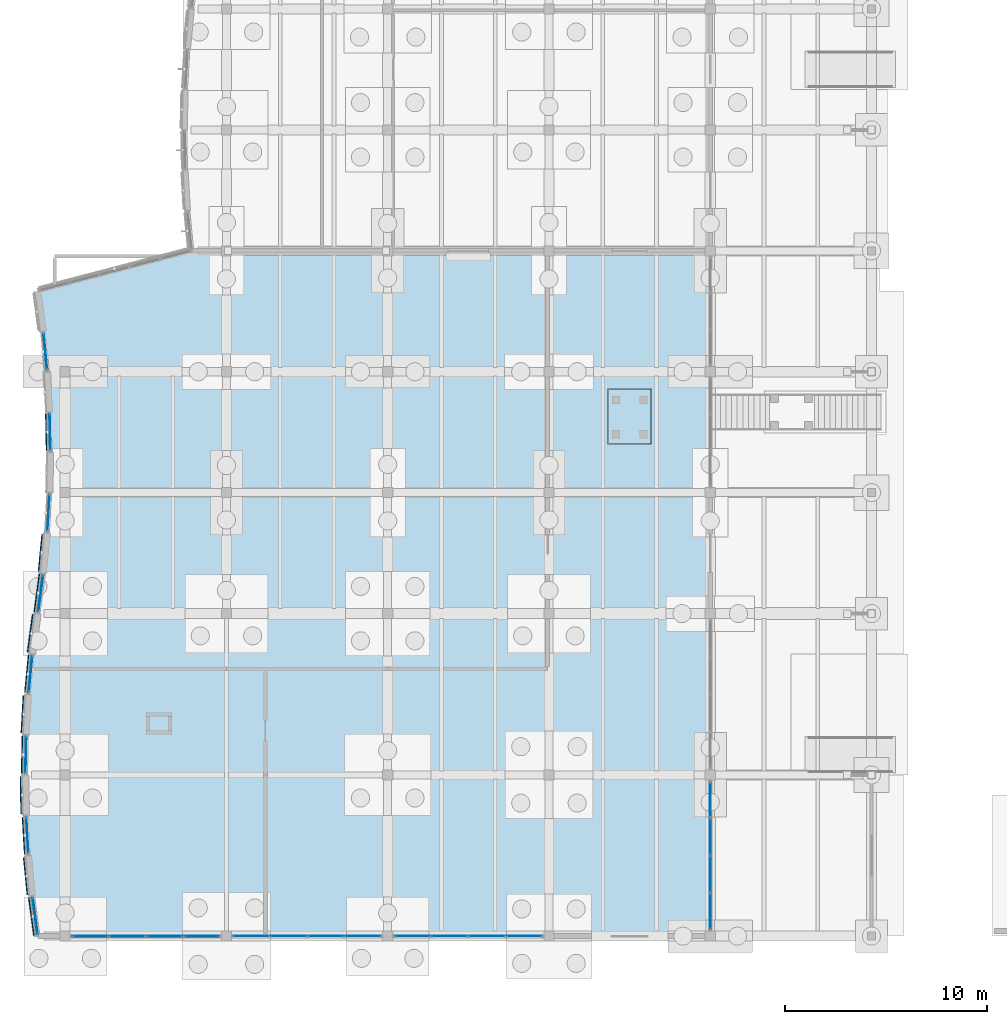
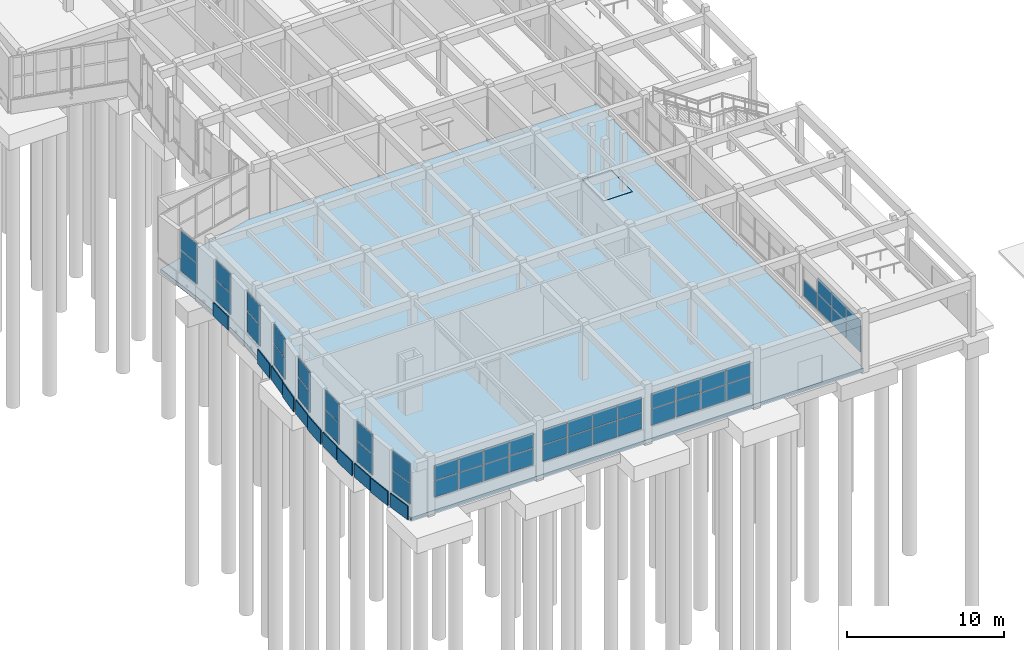
# One storey, part 50 of 99: 58 plates, 2 slabs, 12 elements without a shape of their own.
"""IFC4 building model written with IfcOpenShell, lengths in metres."""

from ifc_helpers import new_model, si_unit, direction, frame, origin, origin_2d, place, context, subcontext, project, spatial, polyline, rectangle, outline, extrude, material, layer, layer_set, type_object, element, aggregate, save


model = new_model("IFC4")

# Units and contexts
model_context = context("Model", 3, precision=1e-05, world=origin(), true_north=direction((0.0, 1.0)))
body_context = subcontext(model_context, "Body", "Model", "MODEL_VIEW")
ifc_project = project(units=[si_unit("LENGTHUNIT", "METRE"), si_unit("AREAUNIT", "SQUARE_METRE"), si_unit("VOLUMEUNIT", "CUBIC_METRE"), si_unit("PLANEANGLEUNIT", "RADIAN"), si_unit("MASSUNIT", "GRAM", prefix="KILO")], contexts=[model_context])

# Site, building, storey
site_placement = place(None, origin())
site = spatial("IfcSite", under=ifc_project, at=site_placement, CompositionType="ELEMENT")
building_placement = place(site_placement, origin())
building = spatial("IfcBuilding", under=site, at=building_placement, Name="Tonlespit Floodbar School", CompositionType="ELEMENT")
storey_placement = place(building_placement, origin())
storey = spatial("IfcBuildingStorey", under=building, at=storey_placement, Name="L00", CompositionType="ELEMENT", Elevation=0.0)

# Curtain wall, plates
ifc_material_1 = material(Name="Anodised Aluminium", Category="aluminium")
ifc_layer_1 = layer(ifc_material_1, 0.159912109375)
ifc_layer_set_1 = layer_set([ifc_layer_1], Name="Anodised Aluminium")
curtain_wall_type_1 = type_object("IfcCurtainWallType", Name="CurtainWall_1900x3300", PredefinedType="NOTDEFINED", material=ifc_layer_set_1)
curtain_wall_1_placement = place(storey_placement, origin())
curtain_wall_1 = element("IfcCurtainWall", 1, at=curtain_wall_1_placement, inside=storey, type_object=curtain_wall_type_1, Name="L00 unitised curtain wall 0497", PredefinedType="NOTDEFINED")
ifc_material_2 = material(Name="Laminated Low-E Glass", Category="glass")
ifc_layer_2 = layer(ifc_material_2, 0.028076171875)
ifc_layer_set_2 = layer_set([ifc_layer_2], Name="Laminated Low-E Glass")
plate_type_1 = type_object("IfcPlateType", Name="CW_Panel_Glaz_28", PredefinedType="CURTAIN_PANEL", material=ifc_layer_set_2)
plate_1_placement = place(storey_placement, frame((2.127197265625, 9.0, 1.014892578125), z_axis=(0.0, 0.0, 1.0), x_axis=(-0.057710137129, 0.998333381227, 0.0)))
plate_1 = element("IfcPlate", 2, at=plate_1_placement, type_object=plate_type_1, Name="CW-02 panel 1.1", PredefinedType="CURTAIN_PANEL", context=body_context, shape_type="SweptSolid", body=[
    extrude(rectangle(XDim=1.79345703125, YDim=0.028076171875, at=origin_2d()), origin(), (0.0, 0.0, 1.0), 1.61328125),
])
plate_2_placement = place(storey_placement, frame((2.127197265625, 9.0, 2.693359375), z_axis=(0.0, 0.0, 1.0), x_axis=(-0.057710137129, 0.998333381227, 0.0)))
plate_2 = element("IfcPlate", 3, at=plate_2_placement, type_object=plate_type_1, Name="CW-02 panel 1.2", PredefinedType="CURTAIN_PANEL", context=body_context, shape_type="SweptSolid", body=[
    extrude(rectangle(XDim=1.79345703125, YDim=0.028076171875, at=origin_2d()), origin(), (0.0, 0.0, 1.0), 1.481689453125),
])
aggregate(curtain_wall_1, [plate_1, plate_2])

curtain_wall_2_placement = place(storey_placement, origin())
curtain_wall_2 = element("IfcCurtainWall", 4, at=curtain_wall_2_placement, inside=storey, type_object=curtain_wall_type_1, Name="L00 unitised curtain wall 0501", PredefinedType="NOTDEFINED")
plate_3_placement = place(storey_placement, frame((3.1728515625, 25.0, 1.014892578125), z_axis=(0.0, 0.0, 1.0), x_axis=(0.057710137129, 0.998333381227, 0.0)))
plate_3 = element("IfcPlate", 5, at=plate_3_placement, type_object=plate_type_1, Name="CW-02 panel 1.1", PredefinedType="CURTAIN_PANEL", context=body_context, shape_type="SweptSolid", body=[
    extrude(rectangle(XDim=1.79345703125, YDim=0.028076171875, at=origin_2d()), origin(), (0.0, 0.0, 1.0), 1.61328125),
])
plate_4_placement = place(storey_placement, frame((3.1728515625, 25.0, 2.693359375), z_axis=(0.0, 0.0, 1.0), x_axis=(0.057710137129, 0.998333381227, 0.0)))
plate_4 = element("IfcPlate", 6, at=plate_4_placement, type_object=plate_type_1, Name="CW-02 panel 1.2", PredefinedType="CURTAIN_PANEL", context=body_context, shape_type="SweptSolid", body=[
    extrude(rectangle(XDim=1.79345703125, YDim=0.028076171875, at=origin_2d()), origin(), (0.0, 0.0, 1.0), 1.481689453125),
])
aggregate(curtain_wall_2, [plate_3, plate_4])

ifc_layer_3 = layer(ifc_material_1, 0.159912109375)
ifc_layer_set_3 = layer_set([ifc_layer_3], Name="Anodised Aluminium")
curtain_wall_type_2 = type_object("IfcCurtainWallType", Name="CurtainWall_7400x2600", PredefinedType="NOTDEFINED", material=ifc_layer_set_3)
curtain_wall_3_placement = place(storey_placement, origin())
curtain_wall_3 = element("IfcCurtainWall", 7, at=curtain_wall_3_placement, inside=storey, type_object=curtain_wall_type_2, Name="L00 unitised curtain wall 0505", PredefinedType="NOTDEFINED")
plate_5_placement = place(storey_placement, frame((26.766357421875, 4.0, 1.01513671875), z_axis=(0.0, 0.0, 1.0), x_axis=(-1.0, 0.0, 0.0)))
plate_5 = element("IfcPlate", 8, at=plate_5_placement, type_object=plate_type_1, Name="CW-52 panel 1.1", PredefinedType="CURTAIN_PANEL", context=body_context, shape_type="SweptSolid", body=[
    extrude(rectangle(XDim=1.757568359375, YDim=0.028076171875, at=origin_2d()), origin(), (0.0, 0.0, 1.0), 1.249267578125),
])
plate_6_placement = place(storey_placement, frame((26.766357421875, 4.0, 2.3291015625), z_axis=(0.0, 0.0, 1.0), x_axis=(-1.0, 0.0, 0.0)))
plate_6 = element("IfcPlate", 9, at=plate_6_placement, type_object=plate_type_1, Name="CW-52 panel 1.2", PredefinedType="CURTAIN_PANEL", context=body_context, shape_type="SweptSolid", body=[
    extrude(rectangle(XDim=1.757568359375, YDim=0.028076171875, at=origin_2d()), origin(), (0.0, 0.0, 1.0), 1.145751953125),
])
plate_7_placement = place(storey_placement, frame((24.927490234375, 4.0, 1.01513671875), z_axis=(0.0, 0.0, 1.0), x_axis=(-1.0, 0.0, 0.0)))
plate_7 = element("IfcPlate", 10, at=plate_7_placement, type_object=plate_type_1, Name="CW-52 panel 2.1", PredefinedType="CURTAIN_PANEL", context=body_context, shape_type="SweptSolid", body=[
    extrude(rectangle(XDim=1.7900390625, YDim=0.028076171875, at=origin_2d()), origin(), (0.0, 0.0, 1.0), 1.249267578125),
])
plate_8_placement = place(storey_placement, frame((24.927490234375, 4.0, 2.3291015625), z_axis=(0.0, 0.0, 1.0), x_axis=(-1.0, 0.0, 0.0)))
plate_8 = element("IfcPlate", 11, at=plate_8_placement, type_object=plate_type_1, Name="CW-52 panel 2.2", PredefinedType="CURTAIN_PANEL", context=body_context, shape_type="SweptSolid", body=[
    extrude(rectangle(XDim=1.7900390625, YDim=0.028076171875, at=origin_2d()), origin(), (0.0, 0.0, 1.0), 1.145751953125),
])
plate_9_placement = place(storey_placement, frame((23.072509765625, 4.0, 1.01513671875), z_axis=(0.0, 0.0, 1.0), x_axis=(-1.0, 0.0, 0.0)))
plate_9 = element("IfcPlate", 12, at=plate_9_placement, type_object=plate_type_1, Name="CW-52 panel 3.1", PredefinedType="CURTAIN_PANEL", context=body_context, shape_type="SweptSolid", body=[
    extrude(rectangle(XDim=1.7900390625, YDim=0.028076171875, at=origin_2d()), origin(), (0.0, 0.0, 1.0), 1.249267578125),
])
plate_10_placement = place(storey_placement, frame((23.072509765625, 4.0, 2.3291015625), z_axis=(0.0, 0.0, 1.0), x_axis=(-1.0, 0.0, 0.0)))
plate_10 = element("IfcPlate", 13, at=plate_10_placement, type_object=plate_type_1, Name="CW-52 panel 3.2", PredefinedType="CURTAIN_PANEL", context=body_context, shape_type="SweptSolid", body=[
    extrude(rectangle(XDim=1.7900390625, YDim=0.028076171875, at=origin_2d()), origin(), (0.0, 0.0, 1.0), 1.145751953125),
])
plate_11_placement = place(storey_placement, frame((21.233642578125, 4.0, 1.01513671875), z_axis=(0.0, 0.0, 1.0), x_axis=(-1.0, 0.0, 0.0)))
plate_11 = element("IfcPlate", 14, at=plate_11_placement, type_object=plate_type_1, Name="CW-52 panel 4.1", PredefinedType="CURTAIN_PANEL", context=body_context, shape_type="SweptSolid", body=[
    extrude(rectangle(XDim=1.757568359375, YDim=0.028076171875, at=origin_2d()), origin(), (0.0, 0.0, 1.0), 1.249267578125),
])
plate_12_placement = place(storey_placement, frame((21.233642578125, 4.0, 2.3291015625), z_axis=(0.0, 0.0, 1.0), x_axis=(-1.0, 0.0, 0.0)))
plate_12 = element("IfcPlate", 15, at=plate_12_placement, type_object=plate_type_1, Name="CW-52 panel 4.2", PredefinedType="CURTAIN_PANEL", context=body_context, shape_type="SweptSolid", body=[
    extrude(rectangle(XDim=1.757568359375, YDim=0.028076171875, at=origin_2d()), origin(), (0.0, 0.0, 1.0), 1.145751953125),
])
aggregate(curtain_wall_3, [plate_5, plate_6, plate_7, plate_8, plate_9, plate_10, plate_11, plate_12])

curtain_wall_4_placement = place(storey_placement, origin())
curtain_wall_4 = element("IfcCurtainWall", 16, at=curtain_wall_4_placement, inside=storey, type_object=curtain_wall_type_1, Name="L00 unitised curtain wall 0498", PredefinedType="NOTDEFINED")
ifc_layer_4 = layer(ifc_material_2, 0.031982421875)
ifc_layer_set_4 = layer_set([ifc_layer_4], Name="Laminated Low-E Glass")
plate_type_2 = type_object("IfcPlateType", Name="CW_Panel_Glaz_32", PredefinedType="CURTAIN_PANEL", material=ifc_layer_set_4)
plate_13_placement = place(storey_placement, frame((2.050048828125, 13.0, 1.014892578125), z_axis=(0.0, 0.0, 1.0), x_axis=(0.019215201653, 0.999815370969, 0.0)))
plate_13 = element("IfcPlate", 17, at=plate_13_placement, type_object=plate_type_2, Name="CW-02 panel 1.1", PredefinedType="CURTAIN_PANEL", context=body_context, shape_type="SweptSolid", body=[
    extrude(rectangle(XDim=1.790283203125, YDim=0.031982421875, at=origin_2d()), origin(), (0.0, 0.0, 1.0), 1.61328125),
])
plate_14_placement = place(storey_placement, frame((2.050048828125, 13.0, 2.693359375), z_axis=(0.0, 0.0, 1.0), x_axis=(0.019215201653, 0.999815370969, 0.0)))
plate_14 = element("IfcPlate", 18, at=plate_14_placement, type_object=plate_type_2, Name="CW-02 panel 1.2", PredefinedType="CURTAIN_PANEL", context=body_context, shape_type="SweptSolid", body=[
    extrude(rectangle(XDim=1.790283203125, YDim=0.031982421875, at=origin_2d()), origin(), (0.0, 0.0, 1.0), 1.481689453125),
])
aggregate(curtain_wall_4, [plate_13, plate_14])

curtain_wall_5_placement = place(storey_placement, origin())
curtain_wall_5 = element("IfcCurtainWall", 19, at=curtain_wall_5_placement, inside=storey, type_object=curtain_wall_type_1, Name="L00 unitised curtain wall 0502", PredefinedType="NOTDEFINED")
plate_15_placement = place(storey_placement, frame((3.249755859375, 29.0, 1.014892578125), z_axis=(0.0, 0.0, 1.0), x_axis=(-0.019215201653, 0.999815370969, 0.0)))
plate_15 = element("IfcPlate", 20, at=plate_15_placement, type_object=plate_type_2, Name="CW-02 panel 1.1", PredefinedType="CURTAIN_PANEL", context=body_context, shape_type="SweptSolid", body=[
    extrude(rectangle(XDim=1.790283203125, YDim=0.031982421875, at=origin_2d()), origin(), (0.0, 0.0, 1.0), 1.61328125),
])
plate_16_placement = place(storey_placement, frame((3.249755859375, 29.0, 2.693359375), z_axis=(0.0, 0.0, 1.0), x_axis=(-0.019215201653, 0.999815370969, 0.0)))
plate_16 = element("IfcPlate", 21, at=plate_16_placement, type_object=plate_type_2, Name="CW-02 panel 1.2", PredefinedType="CURTAIN_PANEL", context=body_context, shape_type="SweptSolid", body=[
    extrude(rectangle(XDim=1.790283203125, YDim=0.031982421875, at=origin_2d()), origin(), (0.0, 0.0, 1.0), 1.481689453125),
])
aggregate(curtain_wall_5, [plate_15, plate_16])

curtain_wall_6_placement = place(storey_placement, origin())
curtain_wall_6 = element("IfcCurtainWall", 22, at=curtain_wall_6_placement, inside=storey, type_object=curtain_wall_type_2, Name="L00 unitised curtain wall 0506", PredefinedType="NOTDEFINED")
plate_17_placement = place(storey_placement, frame((18.766357421875, 4.0, 1.01513671875), z_axis=(0.0, 0.0, 1.0), x_axis=(-1.0, 0.0, 0.0)))
plate_17 = element("IfcPlate", 23, at=plate_17_placement, type_object=plate_type_2, Name="CW-52 panel 1.1", PredefinedType="CURTAIN_PANEL", context=body_context, shape_type="SweptSolid", body=[
    extrude(rectangle(XDim=1.757568359375, YDim=0.031982421875, at=origin_2d()), origin(), (0.0, 0.0, 1.0), 1.249267578125),
])
plate_18_placement = place(storey_placement, frame((18.766357421875, 4.0, 2.3291015625), z_axis=(0.0, 0.0, 1.0), x_axis=(-1.0, 0.0, 0.0)))
plate_18 = element("IfcPlate", 24, at=plate_18_placement, type_object=plate_type_2, Name="CW-52 panel 1.2", PredefinedType="CURTAIN_PANEL", context=body_context, shape_type="SweptSolid", body=[
    extrude(rectangle(XDim=1.757568359375, YDim=0.031982421875, at=origin_2d()), origin(), (0.0, 0.0, 1.0), 1.145751953125),
])
plate_19_placement = place(storey_placement, frame((16.927490234375, 4.0, 1.01513671875), z_axis=(0.0, 0.0, 1.0), x_axis=(-1.0, 0.0, 0.0)))
plate_19 = element("IfcPlate", 25, at=plate_19_placement, type_object=plate_type_2, Name="CW-52 panel 2.1", PredefinedType="CURTAIN_PANEL", context=body_context, shape_type="SweptSolid", body=[
    extrude(rectangle(XDim=1.7900390625, YDim=0.031982421875, at=origin_2d()), origin(), (0.0, 0.0, 1.0), 1.249267578125),
])
plate_20_placement = place(storey_placement, frame((16.927490234375, 4.0, 2.3291015625), z_axis=(0.0, 0.0, 1.0), x_axis=(-1.0, 0.0, 0.0)))
plate_20 = element("IfcPlate", 26, at=plate_20_placement, type_object=plate_type_2, Name="CW-52 panel 2.2", PredefinedType="CURTAIN_PANEL", context=body_context, shape_type="SweptSolid", body=[
    extrude(rectangle(XDim=1.7900390625, YDim=0.031982421875, at=origin_2d()), origin(), (0.0, 0.0, 1.0), 1.145751953125),
])
plate_21_placement = place(storey_placement, frame((15.072509765625, 4.0, 1.01513671875), z_axis=(0.0, 0.0, 1.0), x_axis=(-1.0, 0.0, 0.0)))
plate_21 = element("IfcPlate", 27, at=plate_21_placement, type_object=plate_type_2, Name="CW-52 panel 3.1", PredefinedType="CURTAIN_PANEL", context=body_context, shape_type="SweptSolid", body=[
    extrude(rectangle(XDim=1.7900390625, YDim=0.031982421875, at=origin_2d()), origin(), (0.0, 0.0, 1.0), 1.249267578125),
])
plate_22_placement = place(storey_placement, frame((15.072509765625, 4.0, 2.3291015625), z_axis=(0.0, 0.0, 1.0), x_axis=(-1.0, 0.0, 0.0)))
plate_22 = element("IfcPlate", 28, at=plate_22_placement, type_object=plate_type_2, Name="CW-52 panel 3.2", PredefinedType="CURTAIN_PANEL", context=body_context, shape_type="SweptSolid", body=[
    extrude(rectangle(XDim=1.7900390625, YDim=0.031982421875, at=origin_2d()), origin(), (0.0, 0.0, 1.0), 1.145751953125),
])
plate_23_placement = place(storey_placement, frame((13.233642578125, 4.0, 1.01513671875), z_axis=(0.0, 0.0, 1.0), x_axis=(-1.0, 0.0, 0.0)))
plate_23 = element("IfcPlate", 29, at=plate_23_placement, type_object=plate_type_2, Name="CW-52 panel 4.1", PredefinedType="CURTAIN_PANEL", context=body_context, shape_type="SweptSolid", body=[
    extrude(rectangle(XDim=1.757568359375, YDim=0.031982421875, at=origin_2d()), origin(), (0.0, 0.0, 1.0), 1.249267578125),
])
plate_24_placement = place(storey_placement, frame((13.233642578125, 4.0, 2.3291015625), z_axis=(0.0, 0.0, 1.0), x_axis=(-1.0, 0.0, 0.0)))
plate_24 = element("IfcPlate", 30, at=plate_24_placement, type_object=plate_type_2, Name="CW-52 panel 4.2", PredefinedType="CURTAIN_PANEL", context=body_context, shape_type="SweptSolid", body=[
    extrude(rectangle(XDim=1.757568359375, YDim=0.031982421875, at=origin_2d()), origin(), (0.0, 0.0, 1.0), 1.145751953125),
])
aggregate(curtain_wall_6, [plate_17, plate_18, plate_19, plate_20, plate_21, plate_22, plate_23, plate_24])

ifc_layer_5 = layer(ifc_material_1, 0.159912109375)
ifc_layer_set_5 = layer_set([ifc_layer_5], Name="Anodised Aluminium")
curtain_wall_type_3 = type_object("IfcCurtainWallType", Name="CurtainWall_1950x3300", PredefinedType="NOTDEFINED", material=ifc_layer_set_5)
curtain_wall_7_placement = place(storey_placement, origin())
curtain_wall_7 = element("IfcCurtainWall", 31, at=curtain_wall_7_placement, inside=storey, type_object=curtain_wall_type_3, Name="L00 unitised curtain wall 0499", PredefinedType="NOTDEFINED")
ifc_layer_6 = layer(ifc_material_2, 0.035888671875)
ifc_layer_set_6 = layer_set([ifc_layer_6], Name="Laminated Low-E Glass")
plate_type_3 = type_object("IfcPlateType", Name="CW_Panel_Glaz_36", PredefinedType="CURTAIN_PANEL", material=ifc_layer_set_6)
plate_25_placement = place(storey_placement, frame((2.281494140625, 17.0, 1.014892578125), z_axis=(0.0, 0.0, 1.0), x_axis=(0.096198303585, 0.995362188546, 0.0)))
plate_25 = element("IfcPlate", 32, at=plate_25_placement, type_object=plate_type_3, Name="CW-01 panel 1.1", PredefinedType="CURTAIN_PANEL", context=body_context, shape_type="SweptSolid", body=[
    extrude(rectangle(XDim=1.79931640625, YDim=0.035888671875, at=origin_2d()), origin(), (0.0, 0.0, 1.0), 1.61328125),
])
plate_26_placement = place(storey_placement, frame((2.281494140625, 17.0, 2.693359375), z_axis=(0.0, 0.0, 1.0), x_axis=(0.096198303585, 0.995362188546, 0.0)))
plate_26 = element("IfcPlate", 33, at=plate_26_placement, type_object=plate_type_3, Name="CW-01 panel 1.2", PredefinedType="CURTAIN_PANEL", context=body_context, shape_type="SweptSolid", body=[
    extrude(rectangle(XDim=1.79931640625, YDim=0.035888671875, at=origin_2d()), origin(), (0.0, 0.0, 1.0), 1.481689453125),
])
aggregate(curtain_wall_7, [plate_25, plate_26])

curtain_wall_8_placement = place(storey_placement, origin())
curtain_wall_8 = element("IfcCurtainWall", 34, at=curtain_wall_8_placement, inside=storey, type_object=curtain_wall_type_3, Name="L00 unitised curtain wall 0503", PredefinedType="NOTDEFINED")
plate_27_placement = place(storey_placement, frame((3.018310546875, 33.0, 1.014892578125), z_axis=(0.0, 0.0, 1.0), x_axis=(-0.096198303585, 0.995362188546, 0.0)))
plate_27 = element("IfcPlate", 35, at=plate_27_placement, type_object=plate_type_3, Name="CW-01 panel 1.1", PredefinedType="CURTAIN_PANEL", context=body_context, shape_type="SweptSolid", body=[
    extrude(rectangle(XDim=1.79931640625, YDim=0.035888671875, at=origin_2d()), origin(), (0.0, 0.0, 1.0), 1.61328125),
])
plate_28_placement = place(storey_placement, frame((3.018310546875, 33.0, 2.693359375), z_axis=(0.0, 0.0, 1.0), x_axis=(-0.096198303585, 0.995362188546, 0.0)))
plate_28 = element("IfcPlate", 36, at=plate_28_placement, type_object=plate_type_3, Name="CW-01 panel 1.2", PredefinedType="CURTAIN_PANEL", context=body_context, shape_type="SweptSolid", body=[
    extrude(rectangle(XDim=1.79931640625, YDim=0.035888671875, at=origin_2d()), origin(), (0.0, 0.0, 1.0), 1.481689453125),
])
aggregate(curtain_wall_8, [plate_27, plate_28])

curtain_wall_9_placement = place(storey_placement, origin())
curtain_wall_9 = element("IfcCurtainWall", 37, at=curtain_wall_9_placement, inside=storey, type_object=curtain_wall_type_2, Name="L00 unitised curtain wall 0507", PredefinedType="NOTDEFINED")
plate_29_placement = place(storey_placement, frame((10.766357421875, 4.0, 1.01513671875), z_axis=(0.0, 0.0, 1.0), x_axis=(-1.0, 0.0, 0.0)))
plate_29 = element("IfcPlate", 38, at=plate_29_placement, type_object=plate_type_3, Name="CW-52 panel 1.1", PredefinedType="CURTAIN_PANEL", context=body_context, shape_type="SweptSolid", body=[
    extrude(rectangle(XDim=1.757568359375, YDim=0.035888671875, at=origin_2d()), origin(), (0.0, 0.0, 1.0), 1.249267578125),
])
plate_30_placement = place(storey_placement, frame((10.766357421875, 4.0, 2.3291015625), z_axis=(0.0, 0.0, 1.0), x_axis=(-1.0, 0.0, 0.0)))
plate_30 = element("IfcPlate", 39, at=plate_30_placement, type_object=plate_type_3, Name="CW-52 panel 1.2", PredefinedType="CURTAIN_PANEL", context=body_context, shape_type="SweptSolid", body=[
    extrude(rectangle(XDim=1.757568359375, YDim=0.035888671875, at=origin_2d()), origin(), (0.0, 0.0, 1.0), 1.145751953125),
])
plate_31_placement = place(storey_placement, frame((8.927490234375, 4.0, 1.01513671875), z_axis=(0.0, 0.0, 1.0), x_axis=(-1.0, 0.0, 0.0)))
plate_31 = element("IfcPlate", 40, at=plate_31_placement, type_object=plate_type_3, Name="CW-52 panel 2.1", PredefinedType="CURTAIN_PANEL", context=body_context, shape_type="SweptSolid", body=[
    extrude(rectangle(XDim=1.7900390625, YDim=0.035888671875, at=origin_2d()), origin(), (0.0, 0.0, 1.0), 1.249267578125),
])
plate_32_placement = place(storey_placement, frame((8.927490234375, 4.0, 2.3291015625), z_axis=(0.0, 0.0, 1.0), x_axis=(-1.0, 0.0, 0.0)))
plate_32 = element("IfcPlate", 41, at=plate_32_placement, type_object=plate_type_3, Name="CW-52 panel 2.2", PredefinedType="CURTAIN_PANEL", context=body_context, shape_type="SweptSolid", body=[
    extrude(rectangle(XDim=1.7900390625, YDim=0.035888671875, at=origin_2d()), origin(), (0.0, 0.0, 1.0), 1.145751953125),
])
plate_33_placement = place(storey_placement, frame((7.072509765625, 4.0, 1.01513671875), z_axis=(0.0, 0.0, 1.0), x_axis=(-1.0, 0.0, 0.0)))
plate_33 = element("IfcPlate", 42, at=plate_33_placement, type_object=plate_type_3, Name="CW-52 panel 3.1", PredefinedType="CURTAIN_PANEL", context=body_context, shape_type="SweptSolid", body=[
    extrude(rectangle(XDim=1.7900390625, YDim=0.035888671875, at=origin_2d()), origin(), (0.0, 0.0, 1.0), 1.249267578125),
])
plate_34_placement = place(storey_placement, frame((7.072509765625, 4.0, 2.3291015625), z_axis=(0.0, 0.0, 1.0), x_axis=(-1.0, 0.0, 0.0)))
plate_34 = element("IfcPlate", 43, at=plate_34_placement, type_object=plate_type_3, Name="CW-52 panel 3.2", PredefinedType="CURTAIN_PANEL", context=body_context, shape_type="SweptSolid", body=[
    extrude(rectangle(XDim=1.7900390625, YDim=0.035888671875, at=origin_2d()), origin(), (0.0, 0.0, 1.0), 1.145751953125),
])
plate_35_placement = place(storey_placement, frame((5.233642578125, 4.0, 1.01513671875), z_axis=(0.0, 0.0, 1.0), x_axis=(-1.0, 0.0, 0.0)))
plate_35 = element("IfcPlate", 44, at=plate_35_placement, type_object=plate_type_3, Name="CW-52 panel 4.1", PredefinedType="CURTAIN_PANEL", context=body_context, shape_type="SweptSolid", body=[
    extrude(rectangle(XDim=1.757568359375, YDim=0.035888671875, at=origin_2d()), origin(), (0.0, 0.0, 1.0), 1.249267578125),
])
plate_36_placement = place(storey_placement, frame((5.233642578125, 4.0, 2.3291015625), z_axis=(0.0, 0.0, 1.0), x_axis=(-1.0, 0.0, 0.0)))
plate_36 = element("IfcPlate", 45, at=plate_36_placement, type_object=plate_type_3, Name="CW-52 panel 4.2", PredefinedType="CURTAIN_PANEL", context=body_context, shape_type="SweptSolid", body=[
    extrude(rectangle(XDim=1.757568359375, YDim=0.035888671875, at=origin_2d()), origin(), (0.0, 0.0, 1.0), 1.145751953125),
])
aggregate(curtain_wall_9, [plate_29, plate_30, plate_31, plate_32, plate_33, plate_34, plate_35, plate_36])

ifc_layer_7 = layer(ifc_material_1, 0.159912109375)
ifc_layer_set_7 = layer_set([ifc_layer_7], Name="Anodised Aluminium")
curtain_wall_type_4 = type_object("IfcCurtainWallType", Name="CurtainWall_7400x2650", PredefinedType="NOTDEFINED", material=ifc_layer_set_7)
curtain_wall_10_placement = place(storey_placement, origin())
curtain_wall_10 = element("IfcCurtainWall", 46, at=curtain_wall_10_placement, inside=storey, type_object=curtain_wall_type_4, Name="L00 unitised curtain wall 0511", PredefinedType="NOTDEFINED")
plate_37_placement = place(storey_placement, frame((36.0, 10.766357421875, 1.014892578125), z_axis=(0.0, 0.0, 1.0), x_axis=(0.0, -1.0, 0.0)))
plate_37 = element("IfcPlate", 47, at=plate_37_placement, type_object=plate_type_3, Name="CW-34 panel 1.1", PredefinedType="CURTAIN_PANEL", context=body_context, shape_type="SweptSolid", body=[
    extrude(rectangle(XDim=1.757568359375, YDim=0.035888671875, at=origin_2d()), origin(), (0.0, 0.0, 1.0), 1.275390625),
])
plate_38_placement = place(storey_placement, frame((36.0, 8.927490234375, 1.014892578125), z_axis=(0.0, 0.0, 1.0), x_axis=(0.0, -1.0, 0.0)))
plate_38 = element("IfcPlate", 48, at=plate_38_placement, type_object=plate_type_3, Name="CW-34 panel 2.1", PredefinedType="CURTAIN_PANEL", context=body_context, shape_type="SweptSolid", body=[
    extrude(rectangle(XDim=1.7900390625, YDim=0.035888671875, at=origin_2d()), origin(), (0.0, 0.0, 1.0), 1.275390625),
])
plate_39_placement = place(storey_placement, frame((36.0, 8.927490234375, 2.35546875), z_axis=(0.0, 0.0, 1.0), x_axis=(0.0, -1.0, 0.0)))
plate_39 = element("IfcPlate", 49, at=plate_39_placement, type_object=plate_type_3, Name="CW-34 panel 2.2", PredefinedType="CURTAIN_PANEL", context=body_context, shape_type="SweptSolid", body=[
    extrude(rectangle(XDim=1.7900390625, YDim=0.035888671875, at=origin_2d()), origin(), (0.0, 0.0, 1.0), 1.169677734375),
])
plate_40_placement = place(storey_placement, frame((36.0, 7.072509765625, 1.014892578125), z_axis=(0.0, 0.0, 1.0), x_axis=(0.0, -1.0, 0.0)))
plate_40 = element("IfcPlate", 50, at=plate_40_placement, type_object=plate_type_3, Name="CW-34 panel 3.1", PredefinedType="CURTAIN_PANEL", context=body_context, shape_type="SweptSolid", body=[
    extrude(rectangle(XDim=1.7900390625, YDim=0.035888671875, at=origin_2d()), origin(), (0.0, 0.0, 1.0), 1.275390625),
])
plate_41_placement = place(storey_placement, frame((36.0, 7.072509765625, 2.35546875), z_axis=(0.0, 0.0, 1.0), x_axis=(0.0, -1.0, 0.0)))
plate_41 = element("IfcPlate", 51, at=plate_41_placement, type_object=plate_type_3, Name="CW-34 panel 3.2", PredefinedType="CURTAIN_PANEL", context=body_context, shape_type="SweptSolid", body=[
    extrude(rectangle(XDim=1.7900390625, YDim=0.035888671875, at=origin_2d()), origin(), (0.0, 0.0, 1.0), 1.169677734375),
])
plate_42_placement = place(storey_placement, frame((36.0, 5.233642578125, 1.014892578125), z_axis=(0.0, 0.0, 1.0), x_axis=(0.0, -1.0, 0.0)))
plate_42 = element("IfcPlate", 52, at=plate_42_placement, type_object=plate_type_3, Name="CW-34 panel 4.1", PredefinedType="CURTAIN_PANEL", context=body_context, shape_type="SweptSolid", body=[
    extrude(rectangle(XDim=1.757568359375, YDim=0.035888671875, at=origin_2d()), origin(), (0.0, 0.0, 1.0), 1.275390625),
])
plate_43_placement = place(storey_placement, frame((36.0, 5.233642578125, 2.35546875), z_axis=(0.0, 0.0, 1.0), x_axis=(0.0, -1.0, 0.0)))
plate_43 = element("IfcPlate", 53, at=plate_43_placement, type_object=plate_type_3, Name="CW-34 panel 4.2", PredefinedType="CURTAIN_PANEL", context=body_context, shape_type="SweptSolid", body=[
    extrude(rectangle(XDim=1.757568359375, YDim=0.035888671875, at=origin_2d()), origin(), (0.0, 0.0, 1.0), 1.169677734375),
])
aggregate(curtain_wall_10, [plate_37, plate_38, plate_39, plate_40, plate_41, plate_42, plate_43])

curtain_wall_11_placement = place(storey_placement, origin())
curtain_wall_11 = element("IfcCurtainWall", 54, at=curtain_wall_11_placement, inside=storey, type_object=curtain_wall_type_3, Name="L00 unitised curtain wall 0496", PredefinedType="NOTDEFINED")
ifc_layer_8 = layer(ifc_material_2, 0.0419921875)
ifc_layer_set_8 = layer_set([ifc_layer_8], Name="Laminated Low-E Glass")
plate_type_4 = type_object("IfcPlateType", Name="CW_Panel_Glaz_42", PredefinedType="CURTAIN_PANEL", material=ifc_layer_set_8)
plate_44_placement = place(storey_placement, frame((2.51416015625, 5.0, 1.014892578125), z_axis=(0.0, 0.0, 1.0), x_axis=(-0.134643564765, 0.990894096494, 0.0)))
plate_44 = element("IfcPlate", 55, at=plate_44_placement, type_object=plate_type_4, Name="CW-01 panel 1.1", PredefinedType="CURTAIN_PANEL", context=body_context, shape_type="SweptSolid", body=[
    extrude(rectangle(XDim=1.808349609375, YDim=0.0419921875, at=origin_2d()), origin(), (0.0, 0.0, 1.0), 1.61328125),
])
plate_45_placement = place(storey_placement, frame((2.51416015625, 5.0, 2.693359375), z_axis=(0.0, 0.0, 1.0), x_axis=(-0.134643564765, 0.990894096494, 0.0)))
plate_45 = element("IfcPlate", 56, at=plate_45_placement, type_object=plate_type_4, Name="CW-01 panel 1.2", PredefinedType="CURTAIN_PANEL", context=body_context, shape_type="SweptSolid", body=[
    extrude(rectangle(XDim=1.808349609375, YDim=0.0419921875, at=origin_2d()), origin(), (0.0, 0.0, 1.0), 1.481689453125),
])
aggregate(curtain_wall_11, [plate_44, plate_45])

curtain_wall_12_placement = place(storey_placement, origin())
curtain_wall_12 = element("IfcCurtainWall", 57, at=curtain_wall_12_placement, inside=storey, type_object=curtain_wall_type_3, Name="L00 unitised curtain wall 0500", PredefinedType="NOTDEFINED")
plate_46_placement = place(storey_placement, frame((2.785888671875, 21.0, 1.014892578125), z_axis=(0.0, 0.0, 1.0), x_axis=(0.134643564765, 0.990894096494, 0.0)))
plate_46 = element("IfcPlate", 58, at=plate_46_placement, type_object=plate_type_4, Name="CW-01 panel 1.1", PredefinedType="CURTAIN_PANEL", context=body_context, shape_type="SweptSolid", body=[
    extrude(rectangle(XDim=1.808349609375, YDim=0.0419921875, at=origin_2d()), origin(), (0.0, 0.0, 1.0), 1.61328125),
])
plate_47_placement = place(storey_placement, frame((2.785888671875, 21.0, 2.693359375), z_axis=(0.0, 0.0, 1.0), x_axis=(0.134643564765, 0.990894096494, 0.0)))
plate_47 = element("IfcPlate", 59, at=plate_47_placement, type_object=plate_type_4, Name="CW-01 panel 1.2", PredefinedType="CURTAIN_PANEL", context=body_context, shape_type="SweptSolid", body=[
    extrude(rectangle(XDim=1.808349609375, YDim=0.0419921875, at=origin_2d()), origin(), (0.0, 0.0, 1.0), 1.481689453125),
])
aggregate(curtain_wall_12, [plate_46, plate_47])

# Plates
ifc_material_3 = material(Name="White Architectural Aluminium", Category="aluminium")
ifc_layer_9 = layer(ifc_material_3, 0.06494140625)
ifc_layer_set_9 = layer_set([ifc_layer_9], Name="White Architectural Aluminium")
plate_type_5 = type_object("IfcPlateType", Name="FacadeRibbon_White_65", PredefinedType="SHEET", material=ifc_layer_set_9)
plate_48_placement = place(storey_placement, frame((2.333740234375, 4.9755859375, -0.1201171875), z_axis=(0.0, 0.0, 1.0), x_axis=(-0.134662424626, 0.990891533617, 0.0)))
element("IfcPlate", 60, at=plate_48_placement, inside=storey, type_object=plate_type_5, Name="L00 flowing white street spandrel ribbon 0746", PredefinedType="SHEET", context=body_context, shape_type="SweptSolid", body=[
    extrude(rectangle(XDim=1.8583984375, YDim=0.06494140625, at=origin_2d()), origin(), (0.0, 0.0, 1.0), 1.070068359375),
])
plate_49_placement = place(storey_placement, frame((2.040771484375, 6.976806640625, -0.1201171875), z_axis=(0.0, 0.0, 1.0), x_axis=(-0.096153248998, 0.995366541887, 0.0)))
element("IfcPlate", 61, at=plate_49_placement, inside=storey, type_object=plate_type_5, Name="L00 flowing white street spandrel ribbon 0747", PredefinedType="SHEET", context=body_context, shape_type="SweptSolid", body=[
    extrude(rectangle(XDim=1.849365234375, YDim=0.06494140625, at=origin_2d()), origin(), (0.0, 0.0, 1.0), 1.1201171875),
])
plate_50_placement = place(storey_placement, frame((1.945556640625, 8.989501953125, -0.1201171875), z_axis=(0.0, 0.0, 1.0), x_axis=(-0.057703421212, 0.998333769428, 0.0)))
element("IfcPlate", 62, at=plate_50_placement, inside=storey, type_object=plate_type_5, Name="L00 flowing white street spandrel ribbon 0748", PredefinedType="SHEET", context=body_context, shape_type="SweptSolid", body=[
    extrude(rectangle(XDim=1.84326171875, YDim=0.06494140625, at=origin_2d()), origin(), (0.0, 0.0, 1.0), 1.070068359375),
])
plate_51_placement = place(storey_placement, frame((1.80810546875, 10.995361328125, -0.1201171875), z_axis=(0.0, 0.0, 1.0), x_axis=(-0.01924630259, 0.999814772764, 0.0)))
element("IfcPlate", 63, at=plate_51_placement, inside=storey, type_object=plate_type_5, Name="L00 flowing white street spandrel ribbon 0749", PredefinedType="SHEET", context=body_context, shape_type="SweptSolid", body=[
    extrude(rectangle(XDim=1.84033203125, YDim=0.06494140625, at=origin_2d()), origin(), (0.0, 0.0, 1.0), 1.1201171875),
])
plate_52_placement = place(storey_placement, frame((1.8681640625, 13.00341796875, -0.1201171875), z_axis=(0.0, 0.0, 1.0), x_axis=(0.01924630259, 0.999814772764, 0.0)))
element("IfcPlate", 64, at=plate_52_placement, inside=storey, type_object=plate_type_5, Name="L00 flowing white street spandrel ribbon 0750", PredefinedType="SHEET", context=body_context, shape_type="SweptSolid", body=[
    extrude(rectangle(XDim=1.84033203125, YDim=0.06494140625, at=origin_2d()), origin(), (0.0, 0.0, 1.0), 1.070068359375),
])
plate_53_placement = place(storey_placement, frame((1.885498046875, 15.013916015625, -0.1201171875), z_axis=(0.0, 0.0, 1.0), x_axis=(0.057703421212, 0.998333769428, 0.0)))
element("IfcPlate", 65, at=plate_53_placement, inside=storey, type_object=plate_type_5, Name="L00 flowing white street spandrel ribbon 0751", PredefinedType="SHEET", context=body_context, shape_type="SweptSolid", body=[
    extrude(rectangle(XDim=1.84326171875, YDim=0.06494140625, at=origin_2d()), origin(), (0.0, 0.0, 1.0), 1.1201171875),
])
plate_54_placement = place(storey_placement, frame((2.100341796875, 17.017578125, -0.1201171875), z_axis=(0.0, 0.0, 1.0), x_axis=(0.096153248998, 0.995366541887, 0.0)))
element("IfcPlate", 66, at=plate_54_placement, inside=storey, type_object=plate_type_5, Name="L00 flowing white street spandrel ribbon 0752", PredefinedType="SHEET", context=body_context, shape_type="SweptSolid", body=[
    extrude(rectangle(XDim=1.849365234375, YDim=0.06494140625, at=origin_2d()), origin(), (0.0, 0.0, 1.0), 1.070068359375),
])
plate_55_placement = place(storey_placement, frame((2.2744140625, 19.03271484375, -0.1201171875), z_axis=(0.0, 0.0, 1.0), x_axis=(0.134662424626, 0.990891533617, 0.0)))
element("IfcPlate", 67, at=plate_55_placement, inside=storey, type_object=plate_type_5, Name="L00 flowing white street spandrel ribbon 0753", PredefinedType="SHEET", context=body_context, shape_type="SweptSolid", body=[
    extrude(rectangle(XDim=1.8583984375, YDim=0.06494140625, at=origin_2d()), origin(), (0.0, 0.0, 1.0), 1.1201171875),
])
plate_56_placement = place(storey_placement, frame((2.605712890625, 21.0244140625, -0.1201171875), z_axis=(0.0, 0.0, 1.0), x_axis=(0.134662424626, 0.990891533617, 0.0)))
element("IfcPlate", 68, at=plate_56_placement, inside=storey, type_object=plate_type_5, Name="L00 flowing white street spandrel ribbon 0754", PredefinedType="SHEET", context=body_context, shape_type="SweptSolid", body=[
    extrude(rectangle(XDim=1.8583984375, YDim=0.06494140625, at=origin_2d()), origin(), (0.0, 0.0, 1.0), 1.070068359375),
])
plate_57_placement = place(storey_placement, frame((2.777587890625, 23.023193359375, -0.1201171875), z_axis=(0.0, 0.0, 1.0), x_axis=(0.096153248998, 0.995366541887, 0.0)))
element("IfcPlate", 69, at=plate_57_placement, inside=storey, type_object=plate_type_5, Name="L00 flowing white street spandrel ribbon 0755", PredefinedType="SHEET", context=body_context, shape_type="SweptSolid", body=[
    extrude(rectangle(XDim=1.849365234375, YDim=0.06494140625, at=origin_2d()), origin(), (0.0, 0.0, 1.0), 1.1201171875),
])
plate_58_placement = place(storey_placement, frame((3.06787109375, 28.99658203125, -0.1201171875), z_axis=(0.0, 0.0, 1.0), x_axis=(-0.01924630259, 0.999814772764, 0.0)))
element("IfcPlate", 70, at=plate_58_placement, inside=storey, type_object=plate_type_5, Name="L00 flowing white street spandrel ribbon 0758", PredefinedType="SHEET", context=body_context, shape_type="SweptSolid", body=[
    extrude(rectangle(XDim=1.84033203125, YDim=0.06494140625, at=origin_2d()), origin(), (0.0, 0.0, 1.0), 1.070068359375),
])

# Slabs
ifc_material_4 = material(Name="Concrete C40/50", Category="concrete")
ifc_layer_10 = layer(ifc_material_4, 0.300048828125)
ifc_layer_set_10 = layer_set([ifc_layer_10], Name="Concrete C40/50")
slab_type_1 = type_object("IfcSlabType", Name="Slab_Base_RC_200", PredefinedType="BASESLAB", material=ifc_layer_set_10)
slab_1_placement = place(storey_placement, frame((0.0, 0.0, -0.300048828125)))
element("IfcSlab", 71, at=slab_1_placement, inside=storey, type_object=slab_type_1, Name="L00 V5 dining and kitchen ground slab", PredefinedType="BASESLAB", context=body_context, shape_type="SweptSolid", body=[
    extrude(outline(polyline([(36.0, 38.0), (36.0, 4.0), (2.64990234375, 4.0), (2.18505859375, 8.0), (2.031005859375, 12.0), (2.18505859375, 16.0), (2.378173828125, 18.0), (2.921875, 22.0), (3.230712890625, 26.0), (3.230712890625, 30.0), (3.114990234375, 32.0), (2.64990234375, 36.0), (10.2783203125, 38.0), (36.0, 38.0)]), holes=[polyline([(33.050048828125, 28.3798828125), (33.0732421875, 31.1689453125), (30.930908203125, 31.173095703125), (30.9267578125, 28.39111328125), (33.050048828125, 28.3798828125)])]), origin(), (0.0, 0.0, 1.0), 0.300048828125),
])
ifc_layer_11 = layer(ifc_material_4, 0.449951171875)
ifc_layer_set_11 = layer_set([ifc_layer_11], Name="Concrete C40/50")
slab_type_2 = type_object("IfcSlabType", Name="Slab_StairPlinth_RC450", PredefinedType="BASESLAB", material=ifc_layer_set_11)
slab_2_placement = place(storey_placement, frame((0.0, 0.0, -0.455078125)))
element("IfcSlab", 72, at=slab_2_placement, inside=storey, type_object=slab_type_2, Name="Stair ST-D2 foundation plinth", PredefinedType="BASESLAB", context=body_context, shape_type="SweptSolid", body=[
    extrude(outline(polyline([(30.949951171875, 31.14990234375), (30.949951171875, 28.409912109375), (33.050048828125, 28.409912109375), (33.050048828125, 31.14990234375), (30.949951171875, 31.14990234375)])), origin(), (0.0, 0.0, 1.0), 0.4501953125),
])

save(model, "model.ifc")
